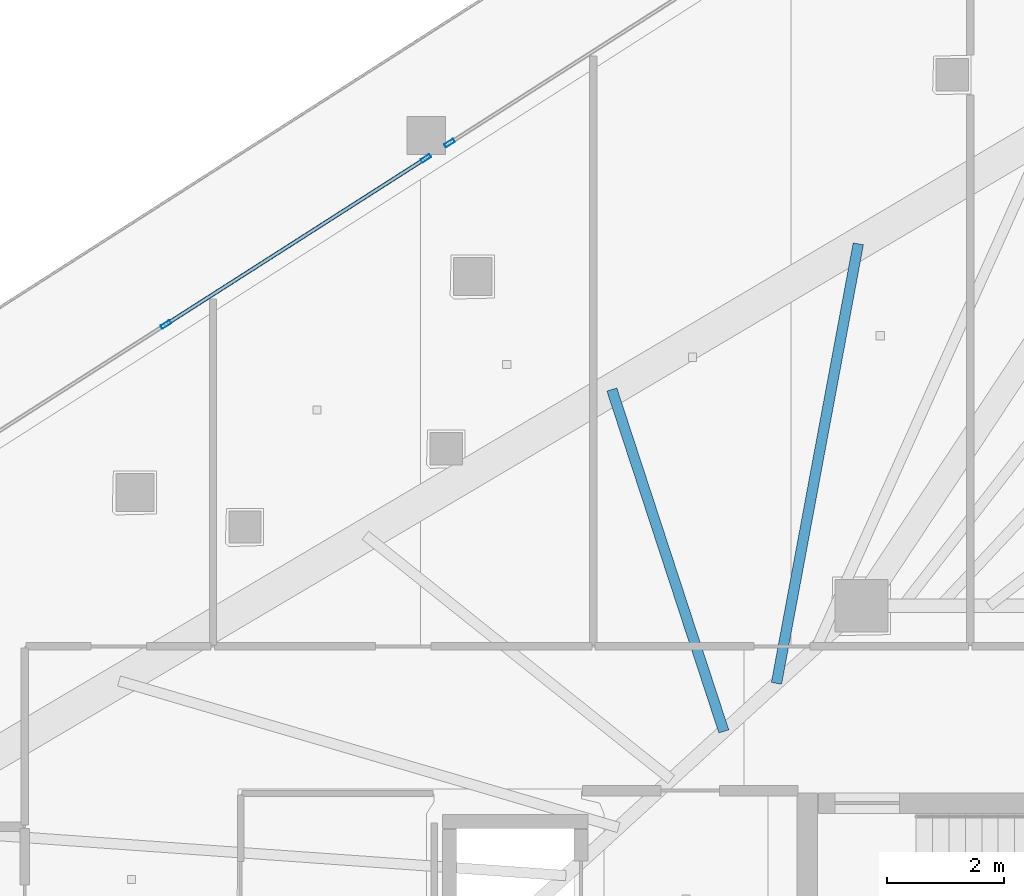
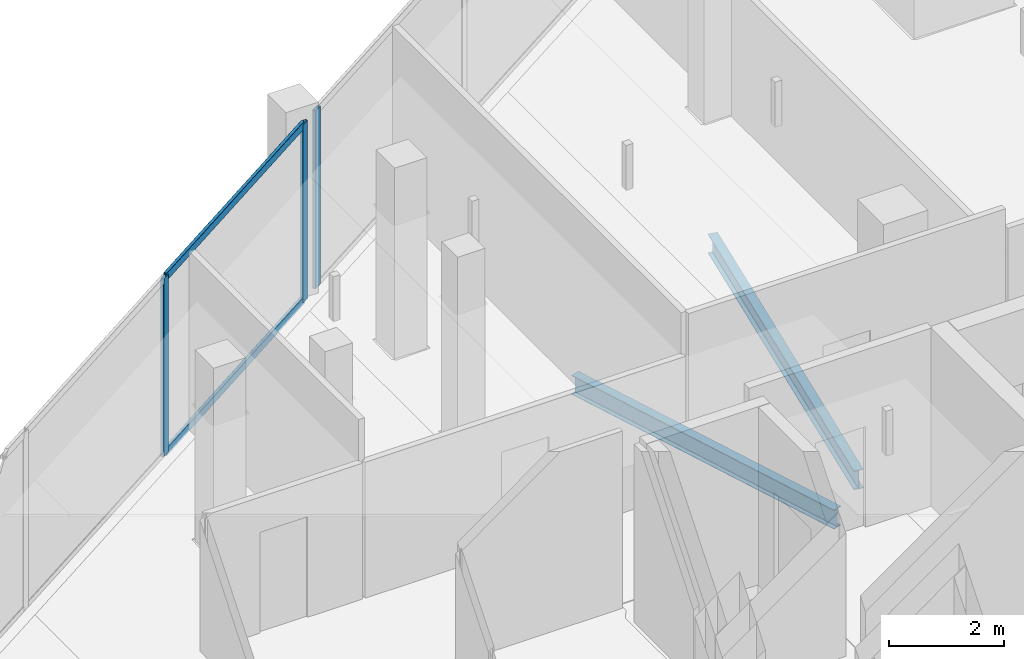
# One storey, part 17 of 37: 5 members, 2 beams, 2 elements without a shape of their own.
"""IFC4 building model written with IfcOpenShell, lengths in metres."""

from ifc_helpers import new_model, si_unit, direction, frame, origin, origin_2d, place, context, subcontext, project, spatial, hollow_rectangle, i_section, extrude, material, layer, layer_set, material_profile, profile_set, type_object, element, aggregate, save


model = new_model("IFC4")

# Units and contexts
model_context = context("Model", 3, precision=1e-05, world=origin(), true_north=direction((0.0, 1.0)))
body_context = subcontext(model_context, "Body", "Model", "MODEL_VIEW")
ifc_project = project(units=[si_unit("LENGTHUNIT", "METRE"), si_unit("AREAUNIT", "SQUARE_METRE"), si_unit("VOLUMEUNIT", "CUBIC_METRE"), si_unit("PLANEANGLEUNIT", "RADIAN"), si_unit("MASSUNIT", "GRAM", prefix="KILO")], contexts=[model_context])

# Site, building, storey
site_placement = place(None, origin())
site = spatial("IfcSite", under=ifc_project, at=site_placement, CompositionType="ELEMENT")
building_placement = place(site_placement, origin())
building = spatial("IfcBuilding", under=site, at=building_placement, Name="Qorvath Tower", CompositionType="ELEMENT")
storey_placement = place(building_placement, frame((0.0, 0.0, 188.85009765625)))
storey = spatial("IfcBuildingStorey", under=building, at=storey_placement, Name="L43", CompositionType="ELEMENT", Elevation=188.85009765625)

# Beams
ifc_material_1 = material(Name="Steel ASTM A992 Grade 50", Category="steel")
ifc_material_profile_1 = material_profile(ifc_material_1, i_section(OverallWidth=0.177978515625, OverallDepth=0.406005859375, WebThickness=0.0078125, FlangeThickness=0.0126953125, FilletRadius=0.010986328125, at=origin_2d()), Name="W16x40")
ifc_profile_set_1 = profile_set([ifc_material_profile_1], Name="Steel ASTM A992 Grade 50")
beam_type = type_object("IfcBeamType", Name="BM-FJ3", PredefinedType="JOIST", material=ifc_profile_set_1)
beam_1_placement = place(storey_placement, frame((-25.946044921875, 9.30810546875, -0.472900390625), z_axis=(-0.311228747452, 0.950335028692, 0.0), x_axis=(-0.950335028692, -0.311228747452, 0.0)))
element("IfcBeam", 1, at=beam_1_placement, inside=storey, type_object=beam_type, Name="Composite Floor Joist NW5 L43", PredefinedType="JOIST", context=body_context, shape_type="SweptSolid", body=[
    extrude(i_section(OverallWidth=0.177978515625, OverallDepth=0.406005859375, WebThickness=0.0078125, FlangeThickness=0.0126953125, FilletRadius=0.010986328125, at=origin_2d()), origin(), (0.0, 0.0, 1.0), 6.129638671875),
])
beam_2_placement = place(storey_placement, frame((-25.049072265625, 10.126953125, -0.472900390625), z_axis=(0.183026775988, 0.983107928598, 0.0), x_axis=(-0.983107928598, 0.183026775988, 0.0)))
element("IfcBeam", 2, at=beam_2_placement, inside=storey, type_object=beam_type, Name="Composite Floor Joist NW6 L43", PredefinedType="JOIST", context=body_context, shape_type="SweptSolid", body=[
    extrude(i_section(OverallWidth=0.177978515625, OverallDepth=0.406005859375, WebThickness=0.0078125, FlangeThickness=0.0126953125, FilletRadius=0.010986328125, at=origin_2d()), origin(), (0.0, 0.0, 1.0), 7.617919921875),
])

# Curtain wall, member
ifc_material_2 = material(Name="Anodised aluminium and triple low-E glass", Category="aluminium")
ifc_layer = layer(ifc_material_2, 0.179931640625)
ifc_layer_set = layer_set([ifc_layer], Name="CW-SYS-3")
curtain_wall_type = type_object("IfcCurtainWallType", Name="CW-SYS-3", PredefinedType="NOTDEFINED", material=ifc_layer_set)
curtain_wall_1_placement = place(storey_placement, origin())
curtain_wall_1 = element("IfcCurtainWall", 3, at=curtain_wall_1_placement, inside=storey, type_object=curtain_wall_type, Name="Curtain Wall CW-3 CW-T-L43-16.1", PredefinedType="NOTDEFINED")
ifc_material_3 = material(Name="Anodised aluminium 6063-T6", Category="aluminium")
ifc_material_profile_2 = material_profile(ifc_material_3, hollow_rectangle(XDim=0.06494140625, YDim=0.179931640625, WallThickness=0.00341796875, InnerFilletRadius=0.00341796875, OuterFilletRadius=0.007080078125, at=origin_2d()), Name="CWM 180x65")
ifc_profile_set_2 = profile_set([ifc_material_profile_2], Name="Anodised aluminium 6063-T6")
member_type_1 = type_object("IfcMemberType", Name="CWM-180", PredefinedType="MULLION", material=ifc_profile_set_2)
member_1_placement = place(storey_placement, frame((-30.61865234375, 19.33203125, 0.0), z_axis=(0.0, 0.0, 1.0), x_axis=(0.538531234683, -0.842605547852, 0.0)))
member_1 = element("IfcMember", 4, at=member_1_placement, type_object=member_type_1, Name="CW-3 mullion 4", PredefinedType="MULLION", context=body_context, shape_type="SweptSolid", body=[
    extrude(hollow_rectangle(XDim=0.06494140625, YDim=0.179931640625, WallThickness=0.00341796875, InnerFilletRadius=0.00341796875, OuterFilletRadius=0.007080078125, at=origin_2d()), origin(), (0.0, 0.0, 1.0), 3.77978515625),
])
aggregate(curtain_wall_1, [member_1])

# Curtain wall, members
curtain_wall_2_placement = place(storey_placement, origin())
curtain_wall_2 = element("IfcCurtainWall", 5, at=curtain_wall_2_placement, inside=storey, type_object=curtain_wall_type, Name="Curtain Wall CW-3 CW-T-L43-16.2", PredefinedType="NOTDEFINED")
member_2_placement = place(storey_placement, frame((-31.02392578125, 19.07275390625, 0.0), z_axis=(0.0, 0.0, 1.0), x_axis=(0.538532984504, -0.842604429493, 0.0)))
member_2 = element("IfcMember", 6, at=member_2_placement, type_object=member_type_1, Name="CW-3 mullion 1", PredefinedType="MULLION", context=body_context, shape_type="SweptSolid", body=[
    extrude(hollow_rectangle(XDim=0.06494140625, YDim=0.179931640625, WallThickness=0.00341796875, InnerFilletRadius=0.00341796875, OuterFilletRadius=0.007080078125, at=origin_2d()), origin(), (0.0, 0.0, 1.0), 3.77978515625),
])
member_3_placement = place(storey_placement, frame((-35.453125, 16.241943359375, 0.0), z_axis=(0.0, 0.0, 1.0), x_axis=(0.538532984504, -0.842604429493, 0.0)))
member_3 = element("IfcMember", 7, at=member_3_placement, type_object=member_type_1, Name="CW-3 mullion 2", PredefinedType="MULLION", context=body_context, shape_type="SweptSolid", body=[
    extrude(hollow_rectangle(XDim=0.06494140625, YDim=0.179931640625, WallThickness=0.00341796875, InnerFilletRadius=0.00341796875, OuterFilletRadius=0.007080078125, at=origin_2d()), origin(), (0.0, 0.0, 1.0), 3.77978515625),
])
ifc_material_4 = material(Name="Anodised aluminium 6063-T6", Category="aluminium")
ifc_material_profile_3 = material_profile(ifc_material_4, hollow_rectangle(XDim=0.06494140625, YDim=0.159912109375, WallThickness=0.00341796875, InnerFilletRadius=0.00341796875, OuterFilletRadius=0.007080078125, at=origin_2d()), Name="CWT 160x65")
ifc_profile_set_3 = profile_set([ifc_material_profile_3], Name="Anodised aluminium 6063-T6")
member_type_2 = type_object("IfcMemberType", Name="CWT-160", PredefinedType="USERDEFINED", material=ifc_profile_set_3)
member_4_placement = place(storey_placement, frame((-31.05126953125, 19.05517578125, 0.032470703125), z_axis=(-0.842623947091, -0.538502445481, 0.0), x_axis=(0.538502445481, -0.842623947091, 0.0)))
member_4 = element("IfcMember", 8, at=member_4_placement, type_object=member_type_2, Name="CW-3 transom 1.1", ObjectType="TRANSOM", PredefinedType="USERDEFINED", context=body_context, shape_type="SweptSolid", body=[
    extrude(hollow_rectangle(XDim=0.06494140625, YDim=0.159912109375, WallThickness=0.00341796875, InnerFilletRadius=0.00341796875, OuterFilletRadius=0.007080078125, at=origin_2d()), origin(), (0.0, 0.0, 1.0), 5.191650390625),
])
member_5_placement = place(storey_placement, frame((-31.05126953125, 19.05517578125, 3.747314453125), z_axis=(-0.842623947091, -0.538502445481, 0.0), x_axis=(0.538502445481, -0.842623947091, 0.0)))
member_5 = element("IfcMember", 9, at=member_5_placement, type_object=member_type_2, Name="CW-3 transom 1.2", ObjectType="TRANSOM", PredefinedType="USERDEFINED", context=body_context, shape_type="SweptSolid", body=[
    extrude(hollow_rectangle(XDim=0.06494140625, YDim=0.159912109375, WallThickness=0.00341796875, InnerFilletRadius=0.00341796875, OuterFilletRadius=0.007080078125, at=origin_2d()), origin(), (0.0, 0.0, 1.0), 5.191650390625),
])
aggregate(curtain_wall_2, [member_2, member_3, member_4, member_5])

save(model, "model.ifc")
